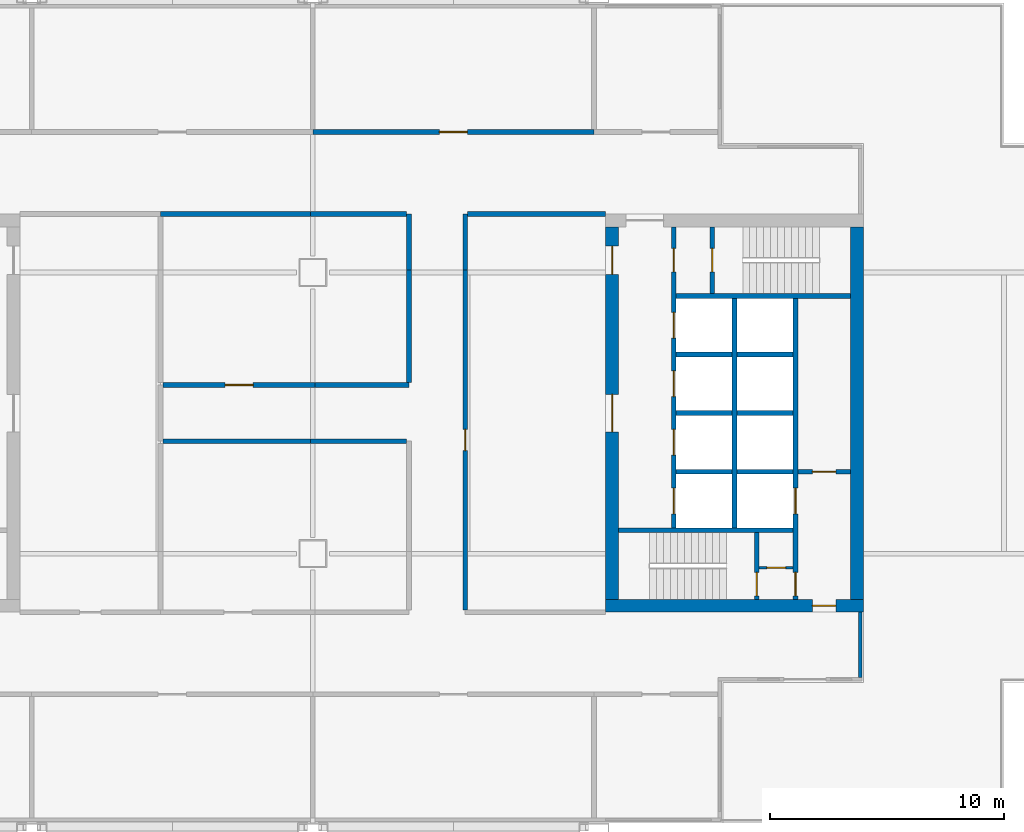
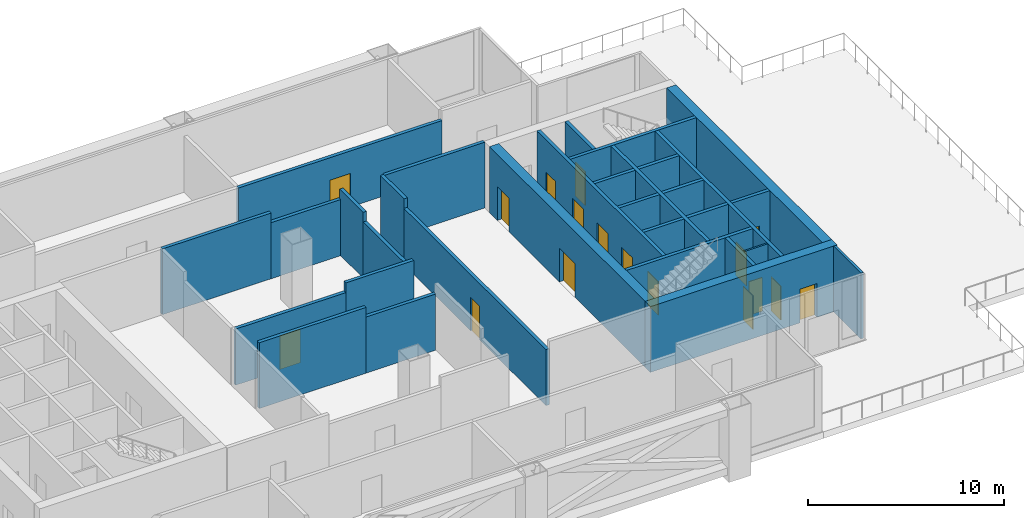
# One storey, part 4 of 6: 31 walls, 17 doors, 17 openings.
"""IFC4 building model written with IfcOpenShell, lengths in metres."""

from ifc_helpers import new_model, si_unit, direction, frame, frame_2d, origin, place, context, subcontext, project, spatial, rectangle, extrude, material, layer, layer_set, type_object, element, fill, save


model = new_model("IFC4")

# Units and contexts
model_context = context("Model", 3, precision=1e-05, world=origin(), true_north=direction((0.0, 1.0)))
body_context = subcontext(model_context, "Body", "Model", "MODEL_VIEW")
ifc_project = project(units=[si_unit("LENGTHUNIT", "METRE"), si_unit("AREAUNIT", "SQUARE_METRE"), si_unit("VOLUMEUNIT", "CUBIC_METRE"), si_unit("PLANEANGLEUNIT", "RADIAN"), si_unit("MASSUNIT", "GRAM", prefix="KILO")], contexts=[model_context])

# Site, building, storey
site_placement = place(None, origin())
site = spatial("IfcSite", under=ifc_project, at=site_placement, CompositionType="ELEMENT")
building_placement = place(site_placement, origin())
building = spatial("IfcBuilding", under=site, at=building_placement, Name="Kitamizu Gate Tower and Museum", CompositionType="ELEMENT")
storey_placement = place(building_placement, frame((0.0, 0.0, 153.75)))
storey = spatial("IfcBuildingStorey", under=building, at=storey_placement, Name="L40", CompositionType="ELEMENT", Elevation=153.75)

# Wall, opening, door
ifc_material_1 = material(Name="Concrete Fc42", Category="concrete")
ifc_layer_1 = layer(ifc_material_1, 0.550048828125)
ifc_layer_set_1 = layer_set([ifc_layer_1], Name="Concrete Fc42")
wall_type_1 = type_object("IfcWallType", Name="Core wall 550", PredefinedType="SHEAR", material=ifc_layer_set_1)
wall_1_placement = place(storey_placement, frame((59.5, 21.77490234375, 0.0), z_axis=(0.0, 0.0, 1.0), x_axis=(-1.0, 0.0, 0.0)))
wall_1 = element("IfcWall", 1, at=wall_1_placement, inside=storey, type_object=wall_type_1, Name="Core wall ES", PredefinedType="SHEAR", context=body_context, shape_type="SweptSolid", body=[
    extrude(rectangle(XDim=11.0, YDim=0.550048828125, at=frame_2d((5.5, 0.0))), origin(), (0.0, 0.0, 1.0), 4.10009765625),
])
opening_1_placement = place(wall_1_placement, frame((1.175048828125, 0.0, 0.0)))
opening_1 = element("IfcOpeningElement", 2, at=opening_1_placement, cuts=wall_1, Name="Opening L40-034", PredefinedType="OPENING", context=body_context, shape_type="SweptSolid", body=[
    extrude(rectangle(XDim=1.0, YDim=2.10009765625, at=frame_2d((0.5, 1.050048828125))), frame((0.0, 0.28515625, 0.0), z_axis=(0.0, -1.0, 0.0), x_axis=(1.0, 0.0, 0.0)), (0.0, 0.0, 1.0), 0.570068359375),
])
ifc_material_2 = material(Name="Hollow metal door set")
door_type_1 = type_object("IfcDoorType", Name="Fire door 1000", OperationType="NOTDEFINED", PredefinedType="DOOR", material=ifc_material_2)
door_1_placement = place(opening_1_placement, frame((1.0, 0.0, 0.0), x_axis=(-1.0, 0.0, 0.0)))
door_1 = element("IfcDoor", 3, at=door_1_placement, inside=storey, type_object=door_type_1, Name="Fire-fighting lobby door L40-034", OperationType="SINGLE_SWING_RIGHT", OverallHeight=2.10009765625, OverallWidth=1.0, PredefinedType="DOOR", context=body_context, shape_type="SweptSolid", body=[
    extrude(rectangle(XDim=1.0, YDim=2.10009765625, at=frame_2d((0.5, 1.050048828125))), frame((0.0, 0.02490234375, 0.0), z_axis=(0.0, -1.0, 0.0), x_axis=(1.0, 0.0, 0.0)), (0.0, 0.0, 1.0), 0.050048828125),
])
fill(opening_1, door_1)

# Wall
wall_2_placement = place(storey_placement, frame((59.22509765625, 22.050048828125, 0.0), z_axis=(0.0, 0.0, 1.0), x_axis=(0.0, 1.0, 0.0)))
element("IfcWall", 4, at=wall_2_placement, inside=storey, type_object=wall_type_1, Name="Core wall EOUT", PredefinedType="SHEAR", context=body_context, shape_type="SweptSolid", body=[
    extrude(rectangle(XDim=15.89990234375, YDim=0.550048828125, at=frame_2d((7.949951171875, 0.0))), origin(), (0.0, 0.0, 1.0), 4.10009765625),
])

# Wall, openings, doors
wall_3_placement = place(storey_placement, frame((48.77490234375, 22.050048828125, 0.0), z_axis=(0.0, 0.0, 1.0), x_axis=(0.0, 1.0, 0.0)))
wall_3 = element("IfcWall", 5, at=wall_3_placement, inside=storey, type_object=wall_type_1, Name="Core wall EARC", PredefinedType="SHEAR", context=body_context, shape_type="SweptSolid", body=[
    extrude(rectangle(XDim=15.89990234375, YDim=0.550048828125, at=frame_2d((7.949951171875, 0.0))), origin(), (0.0, 0.0, 1.0), 4.10009765625),
])
opening_2_placement = place(wall_3_placement, frame((7.14990234375, 0.0, 0.0)))
opening_2 = element("IfcOpeningElement", 6, at=opening_2_placement, cuts=wall_3, Name="Opening L40-036", PredefinedType="OPENING", context=body_context, shape_type="SweptSolid", body=[
    extrude(rectangle(XDim=1.60009765625, YDim=2.10009765625, at=frame_2d((0.800048828125, 1.050048828125))), frame((0.0, 0.28515625, 0.0), z_axis=(0.0, -1.0, 0.0), x_axis=(1.0, 0.0, 0.0)), (0.0, 0.0, 1.0), 0.570068359375),
])
opening_3_placement = place(wall_3_placement, frame((13.875, 0.0, 0.0)))
opening_3 = element("IfcOpeningElement", 7, at=opening_3_placement, cuts=wall_3, Name="Opening L40-037", PredefinedType="OPENING", context=body_context, shape_type="SweptSolid", body=[
    extrude(rectangle(XDim=1.199951171875, YDim=2.10009765625, at=frame_2d((0.60009765625, 1.050048828125))), frame((0.0, 0.28515625, 0.0), z_axis=(0.0, -1.0, 0.0), x_axis=(1.0, 0.0, 0.0)), (0.0, 0.0, 1.0), 0.570068359375),
])
ifc_material_3 = material(Name="Timber door set", Category="wood")
door_type_2 = type_object("IfcDoorType", Name="Entrance door 1600", OperationType="DOUBLE_DOOR_SINGLE_SWING", PredefinedType="DOOR", material=ifc_material_3)
door_2_placement = place(opening_2_placement, origin())
door_2 = element("IfcDoor", 8, at=door_2_placement, inside=storey, type_object=door_type_2, Name="Lobby door L40-036", OperationType="DOUBLE_DOOR_SINGLE_SWING", OverallHeight=2.10009765625, OverallWidth=1.60009765625, PredefinedType="DOOR", context=body_context, shape_type="SweptSolid", body=[
    extrude(rectangle(XDim=1.60009765625, YDim=2.10009765625, at=frame_2d((0.800048828125, 1.050048828125))), frame((0.0, 0.02490234375, 0.0), z_axis=(0.0, -1.0, 0.0), x_axis=(1.0, 0.0, 0.0)), (0.0, 0.0, 1.0), 0.050048828125),
])
fill(opening_2, door_2)
ifc_material_4 = material(Name="Timber door set", Category="wood")
door_type_3 = type_object("IfcDoorType", Name="Refuge door 1200", OperationType="NOTDEFINED", PredefinedType="DOOR", material=ifc_material_4)
door_3_placement = place(opening_3_placement, origin())
door_3 = element("IfcDoor", 9, at=door_3_placement, inside=storey, type_object=door_type_3, Name="Refuge door L40-037", OperationType="SINGLE_SWING_LEFT", OverallHeight=2.10009765625, OverallWidth=1.199951171875, PredefinedType="DOOR", context=body_context, shape_type="SweptSolid", body=[
    extrude(rectangle(XDim=1.199951171875, YDim=2.10009765625, at=frame_2d((0.60009765625, 1.050048828125))), frame((0.0, 0.02490234375, 0.0), z_axis=(0.0, -1.0, 0.0), x_axis=(1.0, 0.0, 0.0)), (0.0, 0.0, 1.0), 0.050048828125),
])
fill(opening_3, door_3)

# Wall, opening, door
ifc_material_5 = material(Name="Gypsum board on galvanised stud")
ifc_layer_2 = layer(ifc_material_5, 0.10009765625)
ifc_layer_set_2 = layer_set([ifc_layer_2], Name="Gypsum board on galvanised stud")
wall_type_2 = type_object("IfcWallType", Name="Partition 100", PredefinedType="PARTITIONING", material=ifc_layer_set_2)
wall_4_placement = place(storey_placement, frame((56.5, 23.39990234375, 0.0), z_axis=(0.0, 0.0, 1.0), x_axis=(-1.0, 0.0, 0.0)))
wall_4 = element("IfcWall", 10, at=wall_4_placement, inside=storey, type_object=wall_type_2, Name="Partition EPZS", PredefinedType="PARTITIONING", context=body_context, shape_type="SweptSolid", body=[
    extrude(rectangle(XDim=1.449951171875, YDim=0.10009765625, at=frame_2d((0.72509765625, 0.0))), origin(), (0.0, 0.0, 1.0), 4.10009765625),
])
opening_4_placement = place(wall_4_placement, frame((0.324951171875, 0.0, 0.0)))
opening_4 = element("IfcOpeningElement", 11, at=opening_4_placement, cuts=wall_4, Name="Opening L40-033", PredefinedType="OPENING", context=body_context, shape_type="SweptSolid", body=[
    extrude(rectangle(XDim=0.800048828125, YDim=2.10009765625, at=frame_2d((0.39990234375, 1.050048828125))), frame((0.0, 0.06005859375, 0.0), z_axis=(0.0, -1.0, 0.0), x_axis=(1.0, 0.0, 0.0)), (0.0, 0.0, 1.0), 0.1201171875),
])
ifc_material_6 = material(Name="Timber door set", Category="wood")
door_type_4 = type_object("IfcDoorType", Name="Cupboard door 800", OperationType="NOTDEFINED", PredefinedType="DOOR", material=ifc_material_6)
door_4_placement = place(opening_4_placement, origin())
door_4 = element("IfcDoor", 12, at=door_4_placement, inside=storey, type_object=door_type_4, Name="Cupboard door L40-033", OperationType="SINGLE_SWING_RIGHT", OverallHeight=2.10009765625, OverallWidth=0.800048828125, PredefinedType="DOOR", context=body_context, shape_type="SweptSolid", body=[
    extrude(rectangle(XDim=0.800048828125, YDim=2.10009765625, at=frame_2d((0.39990234375, 1.050048828125))), frame((0.0, 0.02490234375, 0.0), z_axis=(0.0, -1.0, 0.0), x_axis=(1.0, 0.0, 0.0)), (0.0, 0.0, 1.0), 0.050048828125),
])
fill(opening_4, door_4)

ifc_material_7 = material(Name="Gypsum board on galvanised stud")
ifc_layer_3 = layer(ifc_material_7, 0.199951171875)
ifc_layer_set_3 = layer_set([ifc_layer_3], Name="Gypsum board on galvanised stud")
wall_type_3 = type_object("IfcWallType", Name="Partition 200", PredefinedType="PARTITIONING", material=ifc_layer_set_3)
wall_5_placement = place(storey_placement, frame((42.5, 21.60009765625, 0.0), z_axis=(0.0, 0.0, 1.0), x_axis=(0.0, 1.0, 0.0)))
wall_5 = element("IfcWall", 13, at=wall_5_placement, inside=storey, type_object=wall_type_3, Name="Partition L40-005", PredefinedType="PARTITIONING", context=body_context, shape_type="SweptSolid", body=[
    extrude(rectangle(XDim=14.5, YDim=0.199951171875, at=frame_2d((7.25, 0.0))), origin(), (0.0, 0.0, 1.0), 3.5),
])
opening_5_placement = place(wall_5_placement, frame((6.800048828125, 0.0, 0.0)))
opening_5 = element("IfcOpeningElement", 14, at=opening_5_placement, cuts=wall_5, Name="Opening L40-002", PredefinedType="OPENING", context=body_context, shape_type="SweptSolid", body=[
    extrude(rectangle(XDim=0.89990234375, YDim=2.10009765625, at=frame_2d((0.449951171875, 1.050048828125))), frame((0.0, 0.10986328125, 0.0), z_axis=(0.0, -1.0, 0.0), x_axis=(1.0, 0.0, 0.0)), (0.0, 0.0, 1.0), 0.219970703125),
])
ifc_material_8 = material(Name="Timber door set", Category="wood")
door_type_5 = type_object("IfcDoorType", Name="Store door 900", OperationType="NOTDEFINED", PredefinedType="DOOR", material=ifc_material_8)
door_5_placement = place(opening_5_placement, frame((0.89990234375, 0.0, 0.0), x_axis=(-1.0, 0.0, 0.0)))
door_5 = element("IfcDoor", 15, at=door_5_placement, inside=storey, type_object=door_type_5, Name="Store door L40-002", OperationType="SINGLE_SWING_RIGHT", OverallHeight=2.10009765625, OverallWidth=0.89990234375, PredefinedType="DOOR", context=body_context, shape_type="SweptSolid", body=[
    extrude(rectangle(XDim=0.89990234375, YDim=2.10009765625, at=frame_2d((0.449951171875, 1.050048828125))), frame((0.0, 0.02490234375, 0.0), z_axis=(0.0, -1.0, 0.0), x_axis=(1.0, 0.0, 0.0)), (0.0, 0.0, 1.0), 0.050048828125),
])
fill(opening_5, door_5)

# Walls
wall_6_placement = place(storey_placement, frame((42.5, 36.10009765625, 0.0), z_axis=(0.0, 0.0, 1.0), x_axis=(0.0, 1.0, 0.0)))
element("IfcWall", 16, at=wall_6_placement, inside=storey, type_object=wall_type_3, Name="Partition L40-006", PredefinedType="PARTITIONING", context=body_context, shape_type="SweptSolid", body=[
    extrude(rectangle(XDim=2.39990234375, YDim=0.199951171875, at=frame_2d((1.199951171875, 0.0))), origin(), (0.0, 0.0, 1.0), 4.10009765625),
])
wall_7_placement = place(storey_placement, frame((42.60009765625, 38.5, 0.0), z_axis=(0.0, 0.0, 1.0), x_axis=(1.0, 0.0, 0.0)))
element("IfcWall", 17, at=wall_7_placement, inside=storey, type_object=wall_type_3, Name="Partition L40-007", PredefinedType="PARTITIONING", context=body_context, shape_type="SweptSolid", body=[
    extrude(rectangle(XDim=5.89990234375, YDim=0.199951171875, at=frame_2d((2.949951171875, 0.0))), origin(), (0.0, 0.0, 1.0), 4.10009765625),
])

# Wall, opening, door
wall_8_placement = place(storey_placement, frame((48.0, 42.0, 0.0), z_axis=(0.0, 0.0, 1.0), x_axis=(-1.0, 0.0, 0.0)))
wall_8 = element("IfcWall", 18, at=wall_8_placement, inside=storey, type_object=wall_type_3, Name="Partition L40-016", PredefinedType="PARTITIONING", context=body_context, shape_type="SweptSolid", body=[
    extrude(rectangle(XDim=12.0, YDim=0.199951171875, at=frame_2d((6.0, 0.0))), origin(), (0.0, 0.0, 1.0), 3.5),
])
opening_6_placement = place(wall_8_placement, frame((5.39990234375, 0.0, 0.0)))
opening_6 = element("IfcOpeningElement", 19, at=opening_6_placement, cuts=wall_8, Name="Opening L40-011", PredefinedType="OPENING", context=body_context, shape_type="SweptSolid", body=[
    extrude(rectangle(XDim=1.199951171875, YDim=2.10009765625, at=frame_2d((0.60009765625, 1.050048828125))), frame((0.0, 0.10986328125, 0.0), z_axis=(0.0, -1.0, 0.0), x_axis=(1.0, 0.0, 0.0)), (0.0, 0.0, 1.0), 0.219970703125),
])
ifc_material_9 = material(Name="Timber door set", Category="wood")
door_type_6 = type_object("IfcDoorType", Name="Plant room door 1200", OperationType="DOUBLE_DOOR_SINGLE_SWING", PredefinedType="DOOR", material=ifc_material_9)
door_6_placement = place(opening_6_placement, origin())
door_6 = element("IfcDoor", 20, at=door_6_placement, inside=storey, type_object=door_type_6, Name="Plant room door L40-011", OperationType="DOUBLE_DOOR_SINGLE_SWING", OverallHeight=2.10009765625, OverallWidth=1.199951171875, PredefinedType="DOOR", context=body_context, shape_type="SweptSolid", body=[
    extrude(rectangle(XDim=1.199951171875, YDim=2.10009765625, at=frame_2d((0.60009765625, 1.050048828125))), frame((0.0, 0.02490234375, 0.0), z_axis=(0.0, -1.0, 0.0), x_axis=(1.0, 0.0, 0.0)), (0.0, 0.0, 1.0), 0.050048828125),
])
fill(opening_6, door_6)

# Walls
wall_9_placement = place(storey_placement, frame((40.0, 28.800048828125, 0.0), z_axis=(0.0, 0.0, 1.0), x_axis=(-1.0, 0.0, 0.0)))
element("IfcWall", 21, at=wall_9_placement, inside=storey, type_object=wall_type_3, Name="Partition L40-024", PredefinedType="PARTITIONING", context=body_context, shape_type="SweptSolid", body=[
    extrude(rectangle(XDim=4.10009765625, YDim=0.199951171875, at=frame_2d((2.050048828125, 0.0))), origin(), (0.0, 0.0, 1.0), 3.5),
])
wall_10_placement = place(storey_placement, frame((35.89990234375, 28.800048828125, 0.0), z_axis=(0.0, 0.0, 1.0), x_axis=(-1.0, 0.0, 0.0)))
element("IfcWall", 22, at=wall_10_placement, inside=storey, type_object=wall_type_3, Name="Partition L40-025", PredefinedType="PARTITIONING", context=body_context, shape_type="SweptSolid", body=[
    extrude(rectangle(XDim=6.2998046875, YDim=0.199951171875, at=frame_2d((3.14990234375, 0.0))), origin(), (0.0, 0.0, 1.0), 4.10009765625),
])

# Wall, opening, door
wall_11_placement = place(storey_placement, frame((29.60009765625, 31.199951171875, 0.0), z_axis=(0.0, 0.0, 1.0), x_axis=(1.0, 0.0, 0.0)))
wall_11 = element("IfcWall", 23, at=wall_11_placement, inside=storey, type_object=wall_type_3, Name="Partition L40-026", PredefinedType="PARTITIONING", context=body_context, shape_type="SweptSolid", body=[
    extrude(rectangle(XDim=6.5, YDim=0.199951171875, at=frame_2d((3.25, 0.0))), origin(), (0.0, 0.0, 1.0), 3.5),
])
opening_7_placement = place(wall_11_placement, frame((2.64990234375, 0.0, 0.0)))
opening_7 = element("IfcOpeningElement", 24, at=opening_7_placement, cuts=wall_11, Name="Opening L40-016", PredefinedType="OPENING", context=body_context, shape_type="SweptSolid", body=[
    extrude(rectangle(XDim=1.199951171875, YDim=2.10009765625, at=frame_2d((0.60009765625, 1.050048828125))), frame((0.0, 0.10986328125, 0.0), z_axis=(0.0, -1.0, 0.0), x_axis=(1.0, 0.0, 0.0)), (0.0, 0.0, 1.0), 0.219970703125),
])
door_7_placement = place(opening_7_placement, origin())
door_7 = element("IfcDoor", 25, at=door_7_placement, inside=storey, type_object=door_type_6, Name="Plant room door L40-016", OperationType="DOUBLE_DOOR_SINGLE_SWING", OverallHeight=2.10009765625, OverallWidth=1.199951171875, PredefinedType="DOOR", context=body_context, shape_type="SweptSolid", body=[
    extrude(rectangle(XDim=1.199951171875, YDim=2.10009765625, at=frame_2d((0.60009765625, 1.050048828125))), frame((0.0, 0.02490234375, 0.0), z_axis=(0.0, -1.0, 0.0), x_axis=(1.0, 0.0, 0.0)), (0.0, 0.0, 1.0), 0.050048828125),
])
fill(opening_7, door_7)

# Walls
wall_12_placement = place(storey_placement, frame((36.10009765625, 31.199951171875, 0.0), z_axis=(0.0, 0.0, 1.0), x_axis=(1.0, 0.0, 0.0)))
element("IfcWall", 26, at=wall_12_placement, inside=storey, type_object=wall_type_3, Name="Partition L40-027", PredefinedType="PARTITIONING", context=body_context, shape_type="SweptSolid", body=[
    extrude(rectangle(XDim=4.0, YDim=0.199951171875, at=frame_2d((2.0, 0.0))), origin(), (0.0, 0.0, 1.0), 4.10009765625),
])
wall_13_placement = place(storey_placement, frame((40.10009765625, 31.300048828125, 0.0), z_axis=(0.0, 0.0, 1.0), x_axis=(0.0, 1.0, 0.0)))
element("IfcWall", 27, at=wall_13_placement, inside=storey, type_object=wall_type_3, Name="Partition L40-028", PredefinedType="PARTITIONING", context=body_context, shape_type="SweptSolid", body=[
    extrude(rectangle(XDim=4.800048828125, YDim=0.199951171875, at=frame_2d((2.39990234375, 0.0))), origin(), (0.0, 0.0, 1.0), 3.5),
])
wall_14_placement = place(storey_placement, frame((40.10009765625, 36.10009765625, 0.0), z_axis=(0.0, 0.0, 1.0), x_axis=(0.0, 1.0, 0.0)))
element("IfcWall", 28, at=wall_14_placement, inside=storey, type_object=wall_type_3, Name="Partition L40-029", PredefinedType="PARTITIONING", context=body_context, shape_type="SweptSolid", body=[
    extrude(rectangle(XDim=2.39990234375, YDim=0.199951171875, at=frame_2d((1.199951171875, 0.0))), origin(), (0.0, 0.0, 1.0), 4.10009765625),
])
wall_15_placement = place(storey_placement, frame((40.0, 38.5, 0.0), z_axis=(0.0, 0.0, 1.0), x_axis=(-1.0, 0.0, 0.0)))
element("IfcWall", 29, at=wall_15_placement, inside=storey, type_object=wall_type_3, Name="Partition L40-030", PredefinedType="PARTITIONING", context=body_context, shape_type="SweptSolid", body=[
    extrude(rectangle(XDim=4.10009765625, YDim=0.199951171875, at=frame_2d((2.050048828125, 0.0))), origin(), (0.0, 0.0, 1.0), 3.5),
])
wall_16_placement = place(storey_placement, frame((35.89990234375, 38.5, 0.0), z_axis=(0.0, 0.0, 1.0), x_axis=(-1.0, 0.0, 0.0)))
element("IfcWall", 30, at=wall_16_placement, inside=storey, type_object=wall_type_3, Name="Partition L40-031", PredefinedType="PARTITIONING", context=body_context, shape_type="SweptSolid", body=[
    extrude(rectangle(XDim=6.39990234375, YDim=0.199951171875, at=frame_2d((3.199951171875, 0.0))), origin(), (0.0, 0.0, 1.0), 4.10009765625),
])

# Wall, openings, doors
ifc_material_10 = material(Name="Concrete Fc42", Category="concrete")
ifc_layer_4 = layer(ifc_material_10, 0.199951171875)
ifc_layer_set_4 = layer_set([ifc_layer_4], Name="Concrete Fc42")
wall_type_4 = type_object("IfcWallType", Name="Shaft wall 200", PredefinedType="SOLIDWALL", material=ifc_layer_set_4)
wall_17_placement = place(storey_placement, frame((56.60009765625, 22.050048828125, 0.0), z_axis=(0.0, 0.0, 1.0), x_axis=(0.0, 1.0, 0.0)))
wall_17 = element("IfcWall", 31, at=wall_17_placement, inside=storey, type_object=wall_type_4, Name="Shaft wall EWEST", PredefinedType="SOLIDWALL", context=body_context, shape_type="SweptSolid", body=[
    extrude(rectangle(XDim=12.849853515625, YDim=0.199951171875, at=frame_2d((6.4248046875, 0.0))), origin(), (0.0, 0.0, 1.0), 4.10009765625),
])
opening_8_placement = place(wall_17_placement, frame((3.64990234375, 0.0, 0.0)))
opening_8 = element("IfcOpeningElement", 32, at=opening_8_placement, cuts=wall_17, Name="Opening LD", PredefinedType="OPENING", context=body_context, shape_type="SweptSolid", body=[
    extrude(rectangle(XDim=1.10009765625, YDim=2.10009765625, at=frame_2d((0.550048828125, 1.050048828125))), frame((0.0, 0.10986328125, 0.0), z_axis=(0.0, -1.0, 0.0), x_axis=(1.0, 0.0, 0.0)), (0.0, 0.0, 1.0), 0.219970703125),
])
opening_9_placement = place(wall_17_placement, frame((0.14990234375, 0.0, 0.0)))
opening_9 = element("IfcOpeningElement", 33, at=opening_9_placement, cuts=wall_17, Name="Opening L40-029", PredefinedType="OPENING", context=body_context, shape_type="SweptSolid", body=[
    extrude(rectangle(XDim=1.0, YDim=2.10009765625, at=frame_2d((0.5, 1.050048828125))), frame((0.0, 0.10986328125, 0.0), z_axis=(0.0, -1.0, 0.0), x_axis=(1.0, 0.0, 0.0)), (0.0, 0.0, 1.0), 0.219970703125),
])
door_8_placement = place(opening_9_placement, origin())
door_8 = element("IfcDoor", 34, at=door_8_placement, inside=storey, type_object=door_type_1, Name="Stair lobby door L40-029", OperationType="SINGLE_SWING_RIGHT", OverallHeight=2.10009765625, OverallWidth=1.0, PredefinedType="DOOR", context=body_context, shape_type="SweptSolid", body=[
    extrude(rectangle(XDim=1.0, YDim=2.10009765625, at=frame_2d((0.5, 1.050048828125))), frame((0.0, 0.02490234375, 0.0), z_axis=(0.0, -1.0, 0.0), x_axis=(1.0, 0.0, 0.0)), (0.0, 0.0, 1.0), 0.050048828125),
])
fill(opening_9, door_8)
ifc_material_11 = material(Name="Hollow metal door set")
door_type_7 = type_object("IfcDoorType", Name="Landing door 1100", OperationType="SLIDING_TO_LEFT", PredefinedType="DOOR", material=ifc_material_11)
door_9_placement = place(opening_8_placement, origin())
door_9 = element("IfcDoor", 35, at=door_9_placement, inside=storey, type_object=door_type_7, Name="Landing door EFF1", OperationType="SLIDING_TO_LEFT", OverallHeight=2.10009765625, OverallWidth=1.10009765625, PredefinedType="DOOR", context=body_context, shape_type="SweptSolid", body=[
    extrude(rectangle(XDim=1.10009765625, YDim=2.10009765625, at=frame_2d((0.550048828125, 1.050048828125))), frame((0.0, 0.02490234375, 0.0), z_axis=(0.0, -1.0, 0.0), x_axis=(1.0, 0.0, 0.0)), (0.0, 0.0, 1.0), 0.050048828125),
])
fill(opening_8, door_9)

wall_18_placement = place(storey_placement, frame((51.39990234375, 25.10009765625, 0.0), z_axis=(0.0, 0.0, 1.0), x_axis=(0.0, 1.0, 0.0)))
wall_18 = element("IfcWall", 36, at=wall_18_placement, inside=storey, type_object=wall_type_4, Name="Shaft wall EEAST", PredefinedType="SOLIDWALL", context=body_context, shape_type="SweptSolid", body=[
    extrude(rectangle(XDim=12.849853515625, YDim=0.199951171875, at=frame_2d((6.4248046875, 0.0))), origin(), (0.0, 0.0, 1.0), 4.10009765625),
])
opening_10_placement = place(wall_18_placement, frame((0.60009765625, 0.0, 0.0)))
opening_10 = element("IfcOpeningElement", 37, at=opening_10_placement, cuts=wall_18, Name="Opening LD", PredefinedType="OPENING", context=body_context, shape_type="SweptSolid", body=[
    extrude(rectangle(XDim=1.10009765625, YDim=2.10009765625, at=frame_2d((0.550048828125, 1.050048828125))), frame((0.0, 0.10986328125, 0.0), z_axis=(0.0, -1.0, 0.0), x_axis=(1.0, 0.0, 0.0)), (0.0, 0.0, 1.0), 0.219970703125),
])
opening_11_placement = place(wall_18_placement, frame((3.10009765625, 0.0, 0.0)))
opening_11 = element("IfcOpeningElement", 38, at=opening_11_placement, cuts=wall_18, Name="Opening LD", PredefinedType="OPENING", context=body_context, shape_type="SweptSolid", body=[
    extrude(rectangle(XDim=1.10009765625, YDim=2.10009765625, at=frame_2d((0.550048828125, 1.050048828125))), frame((0.0, 0.10986328125, 0.0), z_axis=(0.0, -1.0, 0.0), x_axis=(1.0, 0.0, 0.0)), (0.0, 0.0, 1.0), 0.219970703125),
])
opening_12_placement = place(wall_18_placement, frame((5.60009765625, 0.0, 0.0)))
opening_12 = element("IfcOpeningElement", 39, at=opening_12_placement, cuts=wall_18, Name="Opening LD", PredefinedType="OPENING", context=body_context, shape_type="SweptSolid", body=[
    extrude(rectangle(XDim=1.10009765625, YDim=2.10009765625, at=frame_2d((0.550048828125, 1.050048828125))), frame((0.0, 0.10986328125, 0.0), z_axis=(0.0, -1.0, 0.0), x_axis=(1.0, 0.0, 0.0)), (0.0, 0.0, 1.0), 0.219970703125),
])
opening_13_placement = place(wall_18_placement, frame((8.10009765625, 0.0, 0.0)))
opening_13 = element("IfcOpeningElement", 40, at=opening_13_placement, cuts=wall_18, Name="Opening LD", PredefinedType="OPENING", context=body_context, shape_type="SweptSolid", body=[
    extrude(rectangle(XDim=1.10009765625, YDim=2.10009765625, at=frame_2d((0.550048828125, 1.050048828125))), frame((0.0, 0.10986328125, 0.0), z_axis=(0.0, -1.0, 0.0), x_axis=(1.0, 0.0, 0.0)), (0.0, 0.0, 1.0), 0.219970703125),
])
opening_14_placement = place(wall_18_placement, frame((10.925048828125, 0.0, 0.0)))
opening_14 = element("IfcOpeningElement", 41, at=opening_14_placement, cuts=wall_18, Name="Opening L40-030", PredefinedType="OPENING", context=body_context, shape_type="SweptSolid", body=[
    extrude(rectangle(XDim=1.0, YDim=2.10009765625, at=frame_2d((0.5, 1.050048828125))), frame((0.0, 0.10986328125, 0.0), z_axis=(0.0, -1.0, 0.0), x_axis=(1.0, 0.0, 0.0)), (0.0, 0.0, 1.0), 0.219970703125),
])
door_10_placement = place(opening_14_placement, frame((1.0, 0.0, 0.0), x_axis=(-1.0, 0.0, 0.0)))
door_10 = element("IfcDoor", 42, at=door_10_placement, inside=storey, type_object=door_type_1, Name="Stair lobby door L40-030", OperationType="SINGLE_SWING_RIGHT", OverallHeight=2.10009765625, OverallWidth=1.0, PredefinedType="DOOR", context=body_context, shape_type="SweptSolid", body=[
    extrude(rectangle(XDim=1.0, YDim=2.10009765625, at=frame_2d((0.5, 1.050048828125))), frame((0.0, 0.02490234375, 0.0), z_axis=(0.0, -1.0, 0.0), x_axis=(1.0, 0.0, 0.0)), (0.0, 0.0, 1.0), 0.050048828125),
])
fill(opening_14, door_10)
door_11_placement = place(opening_10_placement, origin())
door_11 = element("IfcDoor", 43, at=door_11_placement, inside=storey, type_object=door_type_7, Name="Landing door ESV1", OperationType="SLIDING_TO_LEFT", OverallHeight=2.10009765625, OverallWidth=1.10009765625, PredefinedType="DOOR", context=body_context, shape_type="SweptSolid", body=[
    extrude(rectangle(XDim=1.10009765625, YDim=2.10009765625, at=frame_2d((0.550048828125, 1.050048828125))), frame((0.0, 0.02490234375, 0.0), z_axis=(0.0, -1.0, 0.0), x_axis=(1.0, 0.0, 0.0)), (0.0, 0.0, 1.0), 0.050048828125),
])
fill(opening_10, door_11)
door_12_placement = place(opening_11_placement, origin())
door_12 = element("IfcDoor", 44, at=door_12_placement, inside=storey, type_object=door_type_7, Name="Landing door EH1", OperationType="SLIDING_TO_LEFT", OverallHeight=2.10009765625, OverallWidth=1.10009765625, PredefinedType="DOOR", context=body_context, shape_type="SweptSolid", body=[
    extrude(rectangle(XDim=1.10009765625, YDim=2.10009765625, at=frame_2d((0.550048828125, 1.050048828125))), frame((0.0, 0.02490234375, 0.0), z_axis=(0.0, -1.0, 0.0), x_axis=(1.0, 0.0, 0.0)), (0.0, 0.0, 1.0), 0.050048828125),
])
fill(opening_11, door_12)
door_13_placement = place(opening_12_placement, origin())
door_13 = element("IfcDoor", 45, at=door_13_placement, inside=storey, type_object=door_type_7, Name="Landing door EH2", OperationType="SLIDING_TO_LEFT", OverallHeight=2.10009765625, OverallWidth=1.10009765625, PredefinedType="DOOR", context=body_context, shape_type="SweptSolid", body=[
    extrude(rectangle(XDim=1.10009765625, YDim=2.10009765625, at=frame_2d((0.550048828125, 1.050048828125))), frame((0.0, 0.02490234375, 0.0), z_axis=(0.0, -1.0, 0.0), x_axis=(1.0, 0.0, 0.0)), (0.0, 0.0, 1.0), 0.050048828125),
])
fill(opening_12, door_13)
door_14_placement = place(opening_13_placement, origin())
door_14 = element("IfcDoor", 46, at=door_14_placement, inside=storey, type_object=door_type_7, Name="Landing door EH3", OperationType="SLIDING_TO_LEFT", OverallHeight=2.10009765625, OverallWidth=1.10009765625, PredefinedType="DOOR", context=body_context, shape_type="SweptSolid", body=[
    extrude(rectangle(XDim=1.10009765625, YDim=2.10009765625, at=frame_2d((0.550048828125, 1.050048828125))), frame((0.0, 0.02490234375, 0.0), z_axis=(0.0, -1.0, 0.0), x_axis=(1.0, 0.0, 0.0)), (0.0, 0.0, 1.0), 0.050048828125),
])
fill(opening_13, door_14)

# Walls
wall_19_placement = place(storey_placement, frame((54.0, 25.10009765625, 0.0), z_axis=(0.0, 0.0, 1.0), x_axis=(0.0, 1.0, 0.0)))
element("IfcWall", 47, at=wall_19_placement, inside=storey, type_object=wall_type_4, Name="Shaft wall EMID", PredefinedType="SOLIDWALL", context=body_context, shape_type="SweptSolid", body=[
    extrude(rectangle(XDim=9.7998046875, YDim=0.199951171875, at=frame_2d((4.89990234375, 0.0))), origin(), (0.0, 0.0, 1.0), 4.10009765625),
])
for number, where, z_axis, x_axis, name in (
    (48, (56.5, 25.0, 0.0), (0.0, 0.0, 1.0), (-1.0, 0.0, 0.0), "Shaft wall ESB"),
    (49, (58.949951171875, 35.0, 0.0), (0.0, 0.0, 1.0), (-1.0, 0.0, 0.0), "Shaft wall ENB"),
):
    element("IfcWall", number, at=place(storey_placement, frame(where, z_axis=z_axis, x_axis=x_axis)), inside=storey, type_object=wall_type_4, Name=name, PredefinedType="SOLIDWALL", context=body_context, shape_type="SweptSolid", body=[
        extrude(rectangle(XDim=7.449951171875, YDim=0.199951171875, at=frame_2d((3.72509765625, 0.0))), origin(), (0.0, 0.0, 1.0), 4.10009765625),
    ])

# Wall, opening, door
wall_20_placement = place(storey_placement, frame((58.949951171875, 27.5, 0.0), z_axis=(0.0, 0.0, 1.0), x_axis=(-1.0, 0.0, 0.0)))
wall_20 = element("IfcWall", 50, at=wall_20_placement, inside=storey, type_object=wall_type_4, Name="Shaft wall EFFN", PredefinedType="SOLIDWALL", context=body_context, shape_type="SweptSolid", body=[
    extrude(rectangle(XDim=2.25, YDim=0.199951171875, at=frame_2d((1.125, 0.0))), origin(), (0.0, 0.0, 1.0), 4.10009765625),
])
opening_15_placement = place(wall_20_placement, frame((0.625, 0.0, 0.0)))
opening_15 = element("IfcOpeningElement", 51, at=opening_15_placement, cuts=wall_20, Name="Opening L40-032", PredefinedType="OPENING", context=body_context, shape_type="SweptSolid", body=[
    extrude(rectangle(XDim=1.0, YDim=2.10009765625, at=frame_2d((0.5, 1.050048828125))), frame((0.0, 0.10986328125, 0.0), z_axis=(0.0, -1.0, 0.0), x_axis=(1.0, 0.0, 0.0)), (0.0, 0.0, 1.0), 0.219970703125),
])
door_15_placement = place(opening_15_placement, origin())
door_15 = element("IfcDoor", 52, at=door_15_placement, inside=storey, type_object=door_type_1, Name="Fire-fighting lobby door L40-032", OperationType="SINGLE_SWING_LEFT", OverallHeight=2.10009765625, OverallWidth=1.0, PredefinedType="DOOR", context=body_context, shape_type="SweptSolid", body=[
    extrude(rectangle(XDim=1.0, YDim=2.10009765625, at=frame_2d((0.5, 1.050048828125))), frame((0.0, 0.02490234375, 0.0), z_axis=(0.0, -1.0, 0.0), x_axis=(1.0, 0.0, 0.0)), (0.0, 0.0, 1.0), 0.050048828125),
])
fill(opening_15, door_15)

wall_21_placement = place(storey_placement, frame((54.949951171875, 22.050048828125, 0.0), z_axis=(0.0, 0.0, 1.0), x_axis=(0.0, 1.0, 0.0)))
wall_21 = element("IfcWall", 53, at=wall_21_placement, inside=storey, type_object=wall_type_4, Name="Shaft wall ESZ", PredefinedType="SOLIDWALL", context=body_context, shape_type="SweptSolid", body=[
    extrude(rectangle(XDim=2.849853515625, YDim=0.199951171875, at=frame_2d((1.4248046875, 0.0))), origin(), (0.0, 0.0, 1.0), 4.10009765625),
])
opening_16_placement = place(wall_21_placement, frame((0.14990234375, 0.0, 0.0)))
opening_16 = element("IfcOpeningElement", 54, at=opening_16_placement, cuts=wall_21, Name="Opening L40-028", PredefinedType="OPENING", context=body_context, shape_type="SweptSolid", body=[
    extrude(rectangle(XDim=1.0, YDim=2.10009765625, at=frame_2d((0.5, 1.050048828125))), frame((0.0, 0.10986328125, 0.0), z_axis=(0.0, -1.0, 0.0), x_axis=(1.0, 0.0, 0.0)), (0.0, 0.0, 1.0), 0.219970703125),
])
door_16_placement = place(opening_16_placement, origin())
door_16 = element("IfcDoor", 55, at=door_16_placement, inside=storey, type_object=door_type_1, Name="Stair door L40-028", OperationType="SINGLE_SWING_RIGHT", OverallHeight=2.10009765625, OverallWidth=1.0, PredefinedType="DOOR", context=body_context, shape_type="SweptSolid", body=[
    extrude(rectangle(XDim=1.0, YDim=2.10009765625, at=frame_2d((0.5, 1.050048828125))), frame((0.0, 0.02490234375, 0.0), z_axis=(0.0, -1.0, 0.0), x_axis=(1.0, 0.0, 0.0)), (0.0, 0.0, 1.0), 0.050048828125),
])
fill(opening_16, door_16)

wall_22_placement = place(storey_placement, frame((53.050048828125, 35.10009765625, 0.0), z_axis=(0.0, 0.0, 1.0), x_axis=(0.0, 1.0, 0.0)))
wall_22 = element("IfcWall", 56, at=wall_22_placement, inside=storey, type_object=wall_type_4, Name="Shaft wall ENZ", PredefinedType="SOLIDWALL", context=body_context, shape_type="SweptSolid", body=[
    extrude(rectangle(XDim=2.849853515625, YDim=0.199951171875, at=frame_2d((1.4248046875, 0.0))), origin(), (0.0, 0.0, 1.0), 4.10009765625),
])
opening_17_placement = place(wall_22_placement, frame((0.925048828125, 0.0, 0.0)))
opening_17 = element("IfcOpeningElement", 57, at=opening_17_placement, cuts=wall_22, Name="Opening L40-031", PredefinedType="OPENING", context=body_context, shape_type="SweptSolid", body=[
    extrude(rectangle(XDim=1.0, YDim=2.10009765625, at=frame_2d((0.5, 1.050048828125))), frame((0.0, 0.10986328125, 0.0), z_axis=(0.0, -1.0, 0.0), x_axis=(1.0, 0.0, 0.0)), (0.0, 0.0, 1.0), 0.219970703125),
])
door_17_placement = place(opening_17_placement, frame((1.0, 0.0, 0.0), x_axis=(-1.0, 0.0, 0.0)))
door_17 = element("IfcDoor", 58, at=door_17_placement, inside=storey, type_object=door_type_1, Name="Stair door L40-031", OperationType="SINGLE_SWING_LEFT", OverallHeight=2.10009765625, OverallWidth=1.0, PredefinedType="DOOR", context=body_context, shape_type="SweptSolid", body=[
    extrude(rectangle(XDim=1.0, YDim=2.10009765625, at=frame_2d((0.5, 1.050048828125))), frame((0.0, 0.02490234375, 0.0), z_axis=(0.0, -1.0, 0.0), x_axis=(1.0, 0.0, 0.0)), (0.0, 0.0, 1.0), 0.050048828125),
])
fill(opening_17, door_17)

# Walls
for number, where, z_axis, x_axis, name in (
    (59, (56.5, 27.5, 0.0), (0.0, 0.0, 1.0), (-1.0, 0.0, 0.0), "Shaft wall EDVW0"),
    (60, (56.5, 30.0, 0.0), (0.0, 0.0, 1.0), (-1.0, 0.0, 0.0), "Shaft wall EDVW1"),
    (61, (56.5, 32.5, 0.0), (0.0, 0.0, 1.0), (-1.0, 0.0, 0.0), "Shaft wall EDVW2"),
    (62, (53.89990234375, 27.5, 0.0), (0.0, 0.0, 1.0), (-1.0, 0.0, 0.0), "Shaft wall EDVE0"),
    (63, (53.89990234375, 30.0, 0.0), (0.0, 0.0, 1.0), (-1.0, 0.0, 0.0), "Shaft wall EDVE1"),
    (64, (53.89990234375, 32.5, 0.0), (0.0, 0.0, 1.0), (-1.0, 0.0, 0.0), "Shaft wall EDVE2"),
):
    element("IfcWall", number, at=place(storey_placement, frame(where, z_axis=z_axis, x_axis=x_axis)), inside=storey, type_object=wall_type_4, Name=name, PredefinedType="SOLIDWALL", context=body_context, shape_type="SweptSolid", body=[
        extrude(rectangle(XDim=2.39990234375, YDim=0.199951171875, at=frame_2d((1.199951171875, 0.0))), origin(), (0.0, 0.0, 1.0), 4.10009765625),
    ])
ifc_material_12 = material(Name="Bronze anodised aluminium frame with insulated spandrel and tinted glass", Category="aluminium")
ifc_layer_5 = layer(ifc_material_12, 0.14990234375)
ifc_layer_set_5 = layer_set([ifc_layer_5], Name="Bronze anodised aluminium frame with insulated spandrel and tinted glass")
wall_type_5 = type_object("IfcWallType", Name="WINDOW WALL 150 BRONZE FRAME EI 60", PredefinedType="ELEMENTEDWALL", material=ifc_layer_set_5)
wall_23_placement = place(storey_placement, frame((59.364990234375, 18.7099609375, 0.0), z_axis=(0.0, 0.0, 1.0), x_axis=(0.0, 1.0, 0.0)))
element("IfcWall", 65, at=wall_23_placement, inside=storey, type_object=wall_type_5, Name="Window wall east L40", PredefinedType="ELEMENTEDWALL", context=body_context, shape_type="SweptSolid", body=[
    extrude(rectangle(XDim=2.7900390625, YDim=0.14990234375, at=frame_2d((1.39501953125, 0.0))), origin(), (0.0, 0.0, 1.0), 4.10009765625),
])

save(model, "model.ifc")
